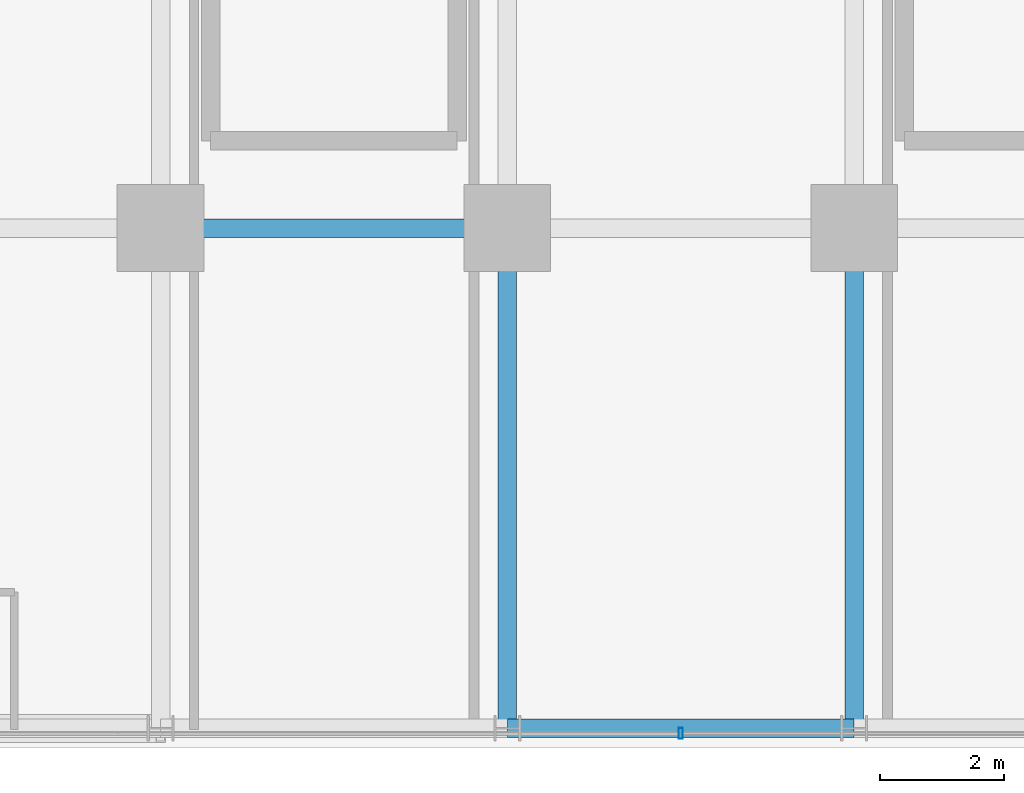
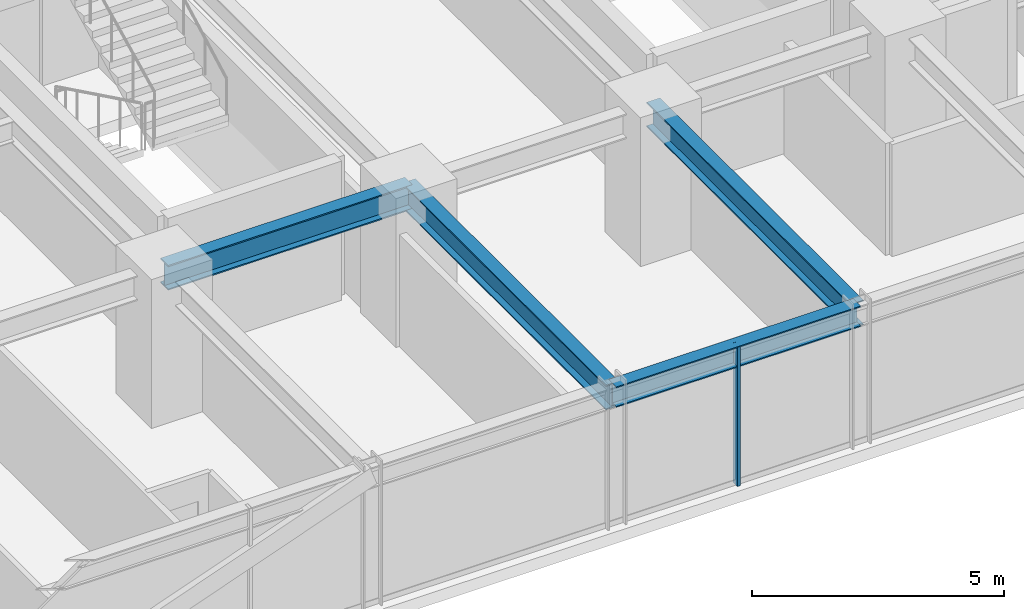
# One storey, part 8 of 36: 4 beams, 1 member, 1 element without a shape of its own.
"""IFC4 building model written with IfcOpenShell, lengths in metres."""

from ifc_helpers import new_model, si_unit, direction, frame, origin, origin_2d, place, context, subcontext, project, spatial, hollow_rectangle, i_section, extrude, source, transform, mapped, material, material_profile, profile_set, type_object, element, aggregate, save


model = new_model("IFC4")

# Units and contexts
model_context = context("Model", 3, precision=1e-05, world=origin(), true_north=direction((0.0, 1.0)))
body_context = subcontext(model_context, "Body", "Model", "MODEL_VIEW")
ifc_project = project(units=[si_unit("LENGTHUNIT", "METRE"), si_unit("AREAUNIT", "SQUARE_METRE"), si_unit("VOLUMEUNIT", "CUBIC_METRE"), si_unit("PLANEANGLEUNIT", "RADIAN"), si_unit("MASSUNIT", "GRAM", prefix="KILO")], contexts=[model_context])

# Site, building, storey
site_placement = place(None, origin())
site = spatial("IfcSite", under=ifc_project, at=site_placement, CompositionType="ELEMENT")
building_placement = place(site_placement, origin())
building = spatial("IfcBuilding", under=site, at=building_placement, Name="Nahalor Promenade Grand Hotel", CompositionType="ELEMENT")
storey_placement = place(building_placement, frame((0.0, 0.0, 76.199951171875)))
storey = spatial("IfcBuildingStorey", under=building, at=storey_placement, Name="L18", CompositionType="ELEMENT", Elevation=76.199951171875)

# Beams
ifc_material_1 = material(Name="Steel S355JR", Category="steel")
ifc_material_profile_1 = material_profile(ifc_material_1, i_section(OverallWidth=0.3, OverallDepth=0.6, WebThickness=0.0155, FlangeThickness=0.03, at=origin_2d()), Name="HEB 600")
ifc_profile_set_1 = profile_set([ifc_material_profile_1], Name="Steel S355JR")
beam_type_1 = type_object("IfcBeamType", Name="Beam-Girder-HEB600", PredefinedType="BEAM", material=ifc_profile_set_1)
shared_shape_1 = source(origin(), body_context, "Body", "SweptSolid", [
    extrude(i_section(OverallWidth=0.3, OverallDepth=0.6, WebThickness=0.0155, FlangeThickness=0.03, at=origin_2d()), origin(), (0.0, 0.0, 1.0), 5.599853515625),
])
beam_1_placement = place(storey_placement, frame((-8.39990234375, -17.0, 3.070068359375), z_axis=(1.0, 0.0, 0.0), x_axis=(0.0, 1.0, 0.0)))
element("IfcBeam", 1, at=beam_1_placement, inside=storey, type_object=beam_type_1, Name="BM-L18-GX-0-2", PredefinedType="BEAM", context=body_context, shape_type="MappedRepresentation", body=[
    mapped(shared_shape_1, transform((0.0, 0.0, 0.0), scale=1.0)),
])
ifc_material_profile_2 = material_profile(ifc_material_1, i_section(OverallWidth=0.3, OverallDepth=0.5, WebThickness=0.0145, FlangeThickness=0.028, at=origin_2d()), Name="HEB 500")
ifc_profile_set_2 = profile_set([ifc_material_profile_2], Name="Steel S355JR")
beam_type_2 = type_object("IfcBeamType", Name="Beam-Spandrel-HEB500", PredefinedType="SPANDREL", material=ifc_profile_set_2)
shared_shape_2 = source(origin(), body_context, "Body", "SweptSolid", [
    extrude(i_section(OverallWidth=0.3, OverallDepth=0.5, WebThickness=0.0145, FlangeThickness=0.028, at=origin_2d()), origin(), (0.0, 0.0, 1.0), 5.60009765625),
])
beam_2_placement = place(storey_placement, frame((-2.800048828125, -25.080078125, 3.1201171875), z_axis=(1.0, 0.0, 0.0), x_axis=(0.0, 1.0, 0.0)))
element("IfcBeam", 2, at=beam_2_placement, inside=storey, type_object=beam_type_2, Name="BM-L18-SP-S-2", PredefinedType="SPANDREL", context=body_context, shape_type="MappedRepresentation", body=[
    mapped(shared_shape_2, transform((0.0, 0.0, 0.0), scale=1.0)),
])
shared_shape_3 = source(origin(), body_context, "Body", "SweptSolid", [
    extrude(i_section(OverallWidth=0.3, OverallDepth=0.6, WebThickness=0.0155, FlangeThickness=0.03, at=origin_2d()), origin(), (0.0, 0.0, 1.0), 8.080078125),
])
for number, where, z_axis, x_axis, name in (
    (3, (-2.800048828125, -25.080078125, 3.070068359375), (0.0, 1.0, 0.0), (-1.0, 0.0, 0.0), "BM-L18-GY-2-0"),
    (4, (2.800048828125, -25.080078125, 3.070068359375), (0.0, 1.0, 0.0), (-1.0, 0.0, 0.0), "BM-L18-GY-3-0"),
):
    element("IfcBeam", number, at=place(storey_placement, frame(where, z_axis=z_axis, x_axis=x_axis)), inside=storey, type_object=beam_type_1, Name=name, PredefinedType="BEAM", context=body_context, shape_type="MappedRepresentation", body=[
        mapped(shared_shape_3, transform((0.0, 0.0, 0.0), scale=1.0)),
    ])

# Curtain wall, member
ifc_material_2 = material(Name="Anodised Bronze Aluminium EN AW-6063 T6", Category="aluminium")
curtain_wall_type = type_object("IfcCurtainWallType", Name="CW2 Typical Hotel Flush Bronze Unitised Curtain Wall", PredefinedType="USERDEFINED", material=ifc_material_2)
curtain_wall_placement = place(storey_placement, origin())
curtain_wall = element("IfcCurtainWall", 5, at=curtain_wall_placement, inside=storey, type_object=curtain_wall_type, Name="L18 Curtain Wall CW-L18-S-1", ObjectType="UNITISED_CURTAIN_WALL", PredefinedType="USERDEFINED")
ifc_material_profile_3 = material_profile(ifc_material_2, hollow_rectangle(XDim=0.065, YDim=0.18, WallThickness=0.004, at=origin_2d()), Name="CWM 65x180x4")
ifc_profile_set_3 = profile_set([ifc_material_profile_3], Name="Anodised Bronze Aluminium EN AW-6063 T6")
member_type = type_object("IfcMemberType", Name="CWM2 Typical Bronze Mullion 65x180", PredefinedType="MULLION", material=ifc_profile_set_3)
shared_shape_4 = source(origin(), body_context, "Body", "SweptSolid", [
    extrude(hollow_rectangle(XDim=0.065, YDim=0.18, WallThickness=0.004, at=origin_2d()), origin(), (0.0, 0.0, 1.0), 3.3701171875),
])
member_placement = place(storey_placement, frame((0.0, -25.159912109375, 0.0), z_axis=(0.0, 0.0, 1.0), x_axis=(1.0, 0.0, 0.0)))
member = element("IfcMember", 6, at=member_placement, type_object=member_type, Name="CW-L18-S-1 Mullion 2", PredefinedType="MULLION", context=body_context, shape_type="MappedRepresentation", body=[
    mapped(shared_shape_4, transform((0.0, 0.0, 0.0), scale=1.0)),
])
aggregate(curtain_wall, [member])

save(model, "model.ifc")
